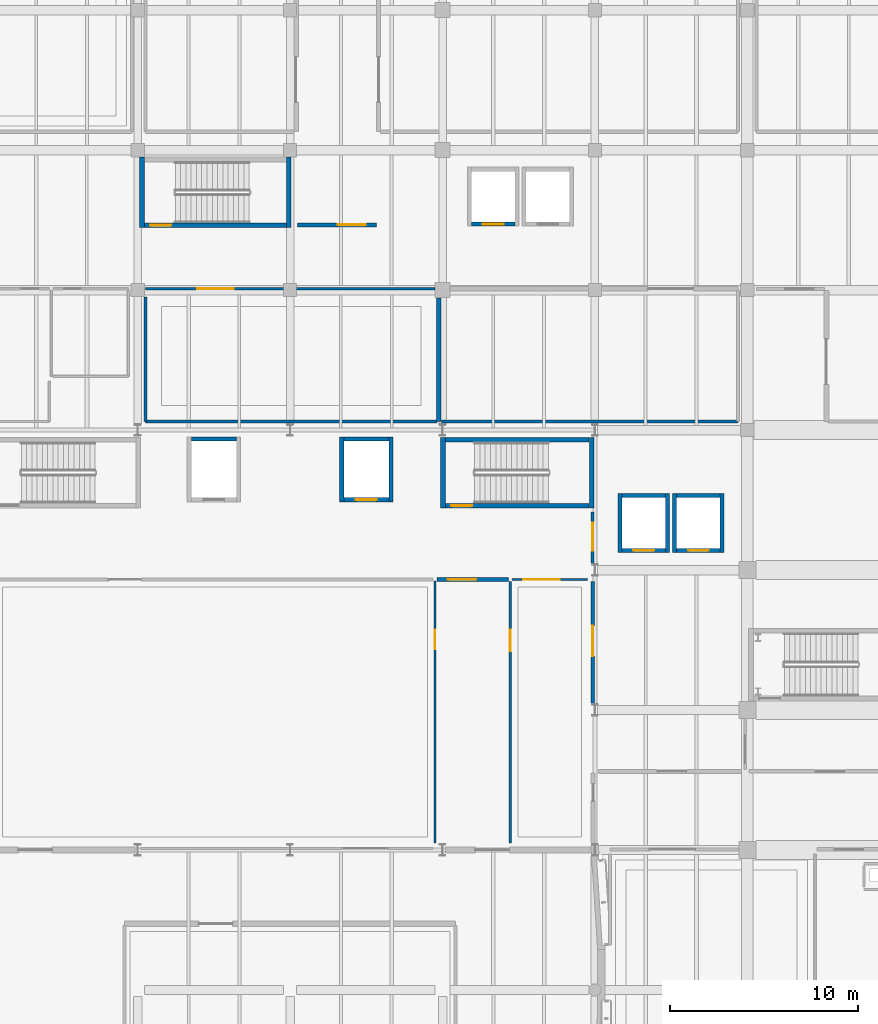
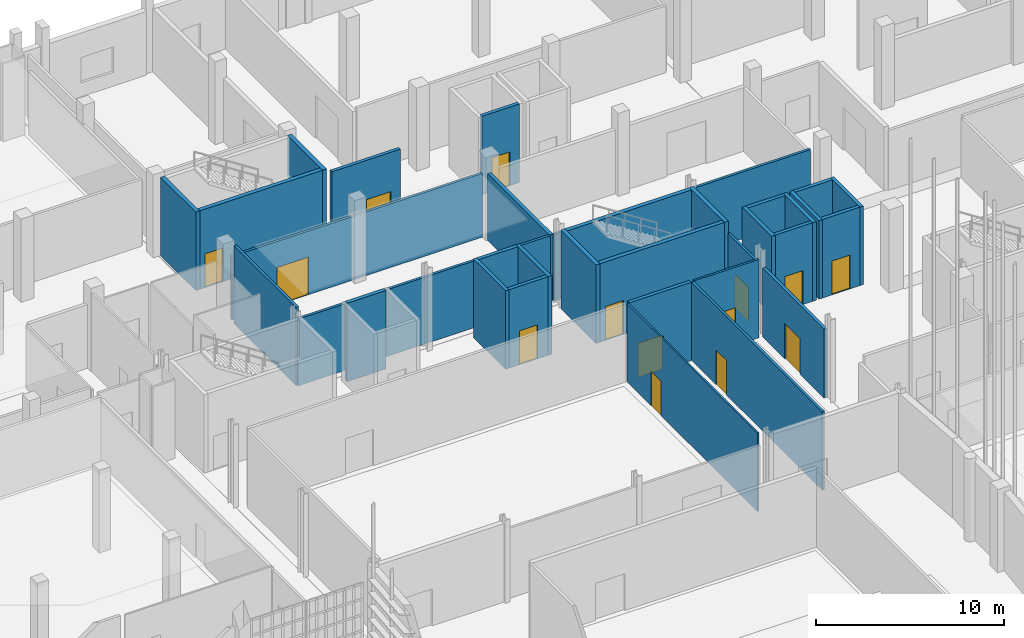
# One storey, part 353 of 372: 33 walls, 14 doors, 14 openings.
"""IFC4 building model written with IfcOpenShell, lengths in metres."""

from ifc_helpers import new_model, si_unit, direction, frame, frame_2d, origin, place, context, subcontext, project, spatial, rectangle, extrude, material, layer, layer_set, type_object, element, fill, save


model = new_model("IFC4")

# Units and contexts
model_context = context("Model", 3, precision=1e-05, world=origin(), true_north=direction((0.0, 1.0)))
body_context = subcontext(model_context, "Body", "Model", "MODEL_VIEW")
ifc_project = project(units=[si_unit("LENGTHUNIT", "METRE"), si_unit("AREAUNIT", "SQUARE_METRE"), si_unit("VOLUMEUNIT", "CUBIC_METRE"), si_unit("PLANEANGLEUNIT", "RADIAN"), si_unit("MASSUNIT", "GRAM", prefix="KILO")], contexts=[model_context])

# Site, building, storey
site_placement = place(None, origin())
site = spatial("IfcSite", under=ifc_project, at=site_placement, CompositionType="ELEMENT")
building_placement = place(site_placement, origin())
building = spatial("IfcBuilding", under=site, at=building_placement, Name="Kaelora Sail Theatre", CompositionType="ELEMENT")
storey_placement = place(building_placement, origin())
storey = spatial("IfcBuildingStorey", under=building, at=storey_placement, Name="L00", CompositionType="ELEMENT", Elevation=0.0)

# Wall, opening, door
ifc_material_1 = material(Name="Concrete C40/50", Category="concrete")
ifc_layer_1 = layer(ifc_material_1, 0.25)
ifc_layer_set_1 = layer_set([ifc_layer_1], Name="Concrete C40/50")
wall_type_1 = type_object("IfcWallType", Name="ARC-WL-CW-250", PredefinedType="SHEAR", material=ifc_layer_set_1)
wall_1_placement = place(storey_placement, frame((50.2548828125, 79.324951171875, 0.0), z_axis=(0.0, 0.0, 1.0), x_axis=(1.0, 0.0, 0.0)))
wall_1 = element("IfcWall", 1, at=wall_1_placement, inside=storey, type_object=wall_type_1, Name="Stair shaft ST-K5 wall L00-S", PredefinedType="SHEAR", context=body_context, shape_type="SweptSolid", body=[
    extrude(rectangle(XDim=7.64013671875, YDim=0.25, at=frame_2d((3.820068359375, 0.0))), origin(), (0.0, 0.0, 1.0), 5.10498046875),
])
opening_1_placement = place(wall_1_placement, frame((0.320068359375, 0.0, 0.0)))
opening_1 = element("IfcOpeningElement", 2, at=opening_1_placement, cuts=wall_1, Name="Opening FD-02", PredefinedType="OPENING", context=body_context, shape_type="SweptSolid", body=[
    extrude(rectangle(XDim=1.10009765625, YDim=2.199951171875, at=frame_2d((0.550048828125, 1.10009765625))), frame((0.0, 0.135, 0.0), z_axis=(0.0, -1.0, 0.0), x_axis=(1.0, 0.0, 0.0)), (0.0, 0.0, 1.0), 0.27),
])
ifc_material_2 = material(Name="Acoustic steel single stair/lobby fire door EI 90-C", Category="steel")
door_type_1 = type_object("IfcDoorType", Name="ARC-DR-FD-02", OperationType="NOTDEFINED", PredefinedType="DOOR", material=ifc_material_2)
door_1_placement = place(opening_1_placement, origin())
door_1 = element("IfcDoor", 3, at=door_1_placement, inside=storey, type_object=door_type_1, Name="Stair ST-K5 door (L00)", OperationType="SINGLE_SWING_RIGHT", OverallHeight=2.199951171875, OverallWidth=1.10009765625, PredefinedType="DOOR", context=body_context, shape_type="SweptSolid", body=[
    extrude(rectangle(XDim=1.10009765625, YDim=2.199951171875, at=frame_2d((0.550048828125, 1.10009765625))), frame((0.0, 0.02490234375, 0.0), z_axis=(0.0, -1.0, 0.0), x_axis=(1.0, 0.0, 0.0)), (0.0, 0.0, 1.0), 0.050048828125),
])
fill(opening_1, door_1)

# Walls
wall_2_placement = place(storey_placement, frame((50.2548828125, 82.824951171875, 0.0), z_axis=(0.0, 0.0, 1.0), x_axis=(1.0, 0.0, 0.0)))
element("IfcWall", 4, at=wall_2_placement, inside=storey, type_object=wall_type_1, Name="Stair shaft ST-K5 wall L00-N", PredefinedType="SHEAR", context=body_context, shape_type="SweptSolid", body=[
    extrude(rectangle(XDim=7.64013671875, YDim=0.25, at=frame_2d((3.820068359375, 0.0))), origin(), (0.0, 0.0, 1.0), 5.10498046875),
])
for number, where, z_axis, x_axis, name in (
    (5, (50.125, 79.199951171875, 0.0), (0.0, 0.0, 1.0), (0.0, 1.0, 0.0), "Stair shaft ST-K5 wall L00-W"),
    (6, (58.02490234375, 79.199951171875, 0.0), (0.0, 0.0, 1.0), (0.0, 1.0, 0.0), "Stair shaft ST-K5 wall L00-E"),
):
    element("IfcWall", number, at=place(storey_placement, frame(where, z_axis=z_axis, x_axis=x_axis)), inside=storey, type_object=wall_type_1, Name=name, PredefinedType="SHEAR", context=body_context, shape_type="SweptSolid", body=[
        extrude(rectangle(XDim=3.75, YDim=0.25, at=frame_2d((1.875, 0.0))), origin(), (0.0, 0.0, 1.0), 5.10498046875),
    ])

# Wall, opening, door
wall_3_placement = place(storey_placement, frame((34.2548828125, 94.22509765625, 0.0), z_axis=(0.0, 0.0, 1.0), x_axis=(1.0, 0.0, 0.0)))
wall_3 = element("IfcWall", 7, at=wall_3_placement, inside=storey, type_object=wall_type_1, Name="Stair shaft ST-K2 wall L00-S", PredefinedType="SHEAR", context=body_context, shape_type="SweptSolid", body=[
    extrude(rectangle(XDim=7.5400390625, YDim=0.25, at=frame_2d((3.77001953125, 0.0))), origin(), (0.0, 0.0, 1.0), 5.10498046875),
])
opening_2_placement = place(wall_3_placement, frame((0.320068359375, 0.0, 0.0)))
opening_2 = element("IfcOpeningElement", 8, at=opening_2_placement, cuts=wall_3, Name="Opening FD-02", PredefinedType="OPENING", context=body_context, shape_type="SweptSolid", body=[
    extrude(rectangle(XDim=1.10009765625, YDim=2.199951171875, at=frame_2d((0.550048828125, 1.10009765625))), frame((0.0, 0.135, 0.0), z_axis=(0.0, -1.0, 0.0), x_axis=(1.0, 0.0, 0.0)), (0.0, 0.0, 1.0), 0.27),
])
door_2_placement = place(opening_2_placement, origin())
door_2 = element("IfcDoor", 9, at=door_2_placement, inside=storey, type_object=door_type_1, Name="Stair ST-K2 door (L00)", OperationType="SINGLE_SWING_RIGHT", OverallHeight=2.199951171875, OverallWidth=1.10009765625, PredefinedType="DOOR", context=body_context, shape_type="SweptSolid", body=[
    extrude(rectangle(XDim=1.10009765625, YDim=2.199951171875, at=frame_2d((0.550048828125, 1.10009765625))), frame((0.0, 0.02490234375, 0.0), z_axis=(0.0, -1.0, 0.0), x_axis=(1.0, 0.0, 0.0)), (0.0, 0.0, 1.0), 0.050048828125),
])
fill(opening_2, door_2)

# Walls
for number, where, z_axis, x_axis, name in (
    (10, (34.125, 94.10009765625, 0.0), (0.0, 0.0, 1.0), (0.0, 1.0, 0.0), "Stair shaft ST-K2 wall L00-W"),
    (11, (41.925048828125, 94.10009765625, 0.0), (0.0, 0.0, 1.0), (0.0, 1.0, 0.0), "Stair shaft ST-K2 wall L00-E"),
):
    element("IfcWall", number, at=place(storey_placement, frame(where, z_axis=z_axis, x_axis=x_axis)), inside=storey, type_object=wall_type_1, Name=name, PredefinedType="SHEAR", context=body_context, shape_type="SweptSolid", body=[
        extrude(rectangle(XDim=3.75, YDim=0.25, at=frame_2d((1.875, 0.0))), origin(), (0.0, 0.0, 1.0), 5.10498046875),
    ])

# Wall, opening, door
ifc_material_3 = material(Name="Demountable acoustic studio wall 150 mm", Category="timber")
ifc_layer_2 = layer(ifc_material_3, 0.14990234375)
ifc_layer_set_2 = layer_set([ifc_layer_2], Name="Demountable acoustic studio wall 150 mm")
wall_type_2 = type_object("IfcWallType", Name="ARC-WL-MV-150", PredefinedType="MOVABLE", material=ifc_layer_set_2)
wall_4_placement = place(storey_placement, frame((53.699951171875, 61.39990234375, 0.0), z_axis=(0.0, 0.0, 1.0), x_axis=(0.0, 1.0, 0.0)))
wall_4 = element("IfcWall", 12, at=wall_4_placement, inside=storey, type_object=wall_type_2, Name="Interior acoustic partition L00-MAIN-ELINK/L00-STAGE-SIDE", PredefinedType="MOVABLE", context=body_context, shape_type="SweptSolid", body=[
    extrude(rectangle(XDim=13.900146484375, YDim=0.14990234375, at=frame_2d((6.9501953125, 0.0))), origin(), (0.0, 0.0, 1.0), 5.0849609375),
])
opening_3_placement = place(wall_4_placement, frame((10.172119140625, 0.0, 0.0)))
opening_3 = element("IfcOpeningElement", 13, at=opening_3_placement, cuts=wall_4, Name="Opening ID-07", PredefinedType="OPENING", context=body_context, shape_type="SweptSolid", body=[
    extrude(rectangle(XDim=1.14990234375, YDim=2.25, at=frame_2d((0.574951171875, 1.125))), frame((0.0, 0.084951, 0.0), z_axis=(0.0, -1.0, 0.0), x_axis=(1.0, 0.0, 0.0)), (0.0, 0.0, 1.0), 0.169902),
])
ifc_material_4 = material(Name="Chorus ensemble wide single door", Category="steel")
door_type_2 = type_object("IfcDoorType", Name="ARC-DR-ID-07", OperationType="NOTDEFINED", PredefinedType="DOOR", material=ifc_material_4)
door_3_placement = place(opening_3_placement, origin())
door_3 = element("IfcDoor", 14, at=door_3_placement, inside=storey, type_object=door_type_2, Name="Interior door L00-MAIN-ELINK to L00-STAGE-SIDE", OperationType="SINGLE_SWING_RIGHT", OverallHeight=2.25, OverallWidth=1.14990234375, PredefinedType="DOOR", context=body_context, shape_type="SweptSolid", body=[
    extrude(rectangle(XDim=1.14990234375, YDim=2.25, at=frame_2d((0.574951171875, 1.125))), frame((0.0, 0.02490234375, 0.0), z_axis=(0.0, -1.0, 0.0), x_axis=(1.0, 0.0, 0.0)), (0.0, 0.0, 1.0), 0.050048828125),
])
fill(opening_3, door_3)

wall_5_placement = place(storey_placement, frame((34.300048828125, 90.85009765625, 0.0), z_axis=(0.0, 0.0, 1.0), x_axis=(1.0, 0.0, 0.0)))
wall_5 = element("IfcWall", 15, at=wall_5_placement, inside=storey, type_object=wall_type_2, Name="Interior acoustic partition L00-COR-BOH/L00-STAGE-MGR", PredefinedType="MOVABLE", context=body_context, shape_type="SweptSolid", body=[
    extrude(rectangle(XDim=15.39501953125, YDim=0.14990234375, at=frame_2d((7.697509765625, 0.0))), origin(), (0.0, 0.0, 1.0), 4.136962890625),
])
opening_4_placement = place(wall_5_placement, frame((2.760009765625, 0.0, 0.0)))
opening_4 = element("IfcOpeningElement", 16, at=opening_4_placement, cuts=wall_5, Name="Opening ID-10", PredefinedType="OPENING", context=body_context, shape_type="SweptSolid", body=[
    extrude(rectangle(XDim=1.949951171875, YDim=2.449951171875, at=frame_2d((0.97509765625, 1.22509765625))), frame((0.0, 0.084951, 0.0), z_axis=(0.0, -1.0, 0.0), x_axis=(1.0, 0.0, 0.0)), (0.0, 0.0, 1.0), 0.169902),
])
ifc_material_5 = material(Name="Foyer hospitality glazed double door", Category="steel")
door_type_3 = type_object("IfcDoorType", Name="ARC-DR-ID-10", OperationType="NOTDEFINED", PredefinedType="DOOR", material=ifc_material_5)
door_4_placement = place(opening_4_placement, origin())
door_4 = element("IfcDoor", 17, at=door_4_placement, inside=storey, type_object=door_type_3, Name="Interior door L00-COR-BOH to L00-STAGE-MGR", OperationType="DOUBLE_DOOR_SINGLE_SWING", OverallHeight=2.449951171875, OverallWidth=1.949951171875, PredefinedType="DOOR", context=body_context, shape_type="SweptSolid", body=[
    extrude(rectangle(XDim=1.949951171875, YDim=2.449951171875, at=frame_2d((0.97509765625, 1.22509765625))), frame((0.0, 0.02490234375, 0.0), z_axis=(0.0, -1.0, 0.0), x_axis=(1.0, 0.0, 0.0)), (0.0, 0.0, 1.0), 0.050048828125),
])
fill(opening_4, door_4)

ifc_material_6 = material(Name="Sanitary moisture-resistant partition 100 mm", Category="gypsum")
ifc_layer_3 = layer(ifc_material_6, 0.10009765625)
ifc_layer_set_3 = layer_set([ifc_layer_3], Name="Sanitary moisture-resistant partition 100 mm")
wall_type_3 = type_object("IfcWallType", Name="ARC-WL-PT-100", PredefinedType="PARTITIONING", material=ifc_layer_set_3)
wall_6_placement = place(storey_placement, frame((49.699951171875, 61.39990234375, 0.0), z_axis=(0.0, 0.0, 1.0), x_axis=(0.0, 1.0, 0.0)))
wall_6 = element("IfcWall", 18, at=wall_6_placement, inside=storey, type_object=wall_type_3, Name="Interior acoustic partition L00-MAIN-ELINK/L00-STAGE-MAIN", PredefinedType="PARTITIONING", context=body_context, shape_type="SweptSolid", body=[
    extrude(rectangle(XDim=13.900146484375, YDim=0.10009765625, at=frame_2d((6.9501953125, 0.0))), origin(), (0.0, 0.0, 1.0), 5.0849609375),
])
opening_5_placement = place(wall_6_placement, frame((10.2890625, 0.0, 0.0)))
opening_5 = element("IfcOpeningElement", 19, at=opening_5_placement, cuts=wall_6, Name="Opening ID-06", PredefinedType="OPENING", context=body_context, shape_type="SweptSolid", body=[
    extrude(rectangle(XDim=1.050048828125, YDim=2.25, at=frame_2d((0.52490234375, 1.125))), frame((0.0, 0.060049, 0.0), z_axis=(0.0, -1.0, 0.0), x_axis=(1.0, 0.0, 0.0)), (0.0, 0.0, 1.0), 0.120098),
])
ifc_material_7 = material(Name="Soloist dressing acoustic timber door", Category="wood")
door_type_4 = type_object("IfcDoorType", Name="ARC-DR-ID-06", OperationType="NOTDEFINED", PredefinedType="DOOR", material=ifc_material_7)
door_5_placement = place(opening_5_placement, origin())
door_5 = element("IfcDoor", 20, at=door_5_placement, inside=storey, type_object=door_type_4, Name="Interior door L00-MAIN-ELINK to L00-STAGE-MAIN", OperationType="SINGLE_SWING_LEFT", OverallHeight=2.25, OverallWidth=1.050048828125, PredefinedType="DOOR", context=body_context, shape_type="SweptSolid", body=[
    extrude(rectangle(XDim=1.050048828125, YDim=2.25, at=frame_2d((0.52490234375, 1.125))), frame((0.0, 0.02490234375, 0.0), z_axis=(0.0, -1.0, 0.0), x_axis=(1.0, 0.0, 0.0)), (0.0, 0.0, 1.0), 0.050048828125),
])
fill(opening_5, door_5)

ifc_material_8 = material(Name="Dressing room acoustic partition 130 mm", Category="gypsum")
ifc_layer_4 = layer(ifc_material_8, 0.1298828125)
ifc_layer_set_4 = layer_set([ifc_layer_4], Name="Dressing room acoustic partition 130 mm")
wall_type_4 = type_object("IfcWallType", Name="ARC-WL-PT-130", PredefinedType="PARTITIONING", material=ifc_layer_set_4)
wall_7_placement = place(storey_placement, frame((53.800048828125, 75.39990234375, 0.0), z_axis=(0.0, 0.0, 1.0), x_axis=(1.0, 0.0, 0.0)))
wall_7 = element("IfcWall", 21, at=wall_7_placement, inside=storey, type_object=wall_type_4, Name="Interior acoustic partition L00-STAGE-SIDE/L00-COR-FLY", PredefinedType="PARTITIONING", context=body_context, shape_type="SweptSolid", body=[
    extrude(rectangle(XDim=4.0, YDim=0.1298828125, at=frame_2d((2.0, 0.0))), origin(), (0.0, 0.0, 1.0), 5.0849609375),
])
opening_6_placement = place(wall_7_placement, frame((0.580078125, 0.0, 0.0)))
opening_6 = element("IfcOpeningElement", 22, at=opening_6_placement, cuts=wall_7, Name="Opening ID-10", PredefinedType="OPENING", context=body_context, shape_type="SweptSolid", body=[
    extrude(rectangle(XDim=1.949951171875, YDim=2.449951171875, at=frame_2d((0.97509765625, 1.22509765625))), frame((0.0, 0.074941, 0.0), z_axis=(0.0, -1.0, 0.0), x_axis=(1.0, 0.0, 0.0)), (0.0, 0.0, 1.0), 0.149883),
])
door_6_placement = place(opening_6_placement, origin())
door_6 = element("IfcDoor", 23, at=door_6_placement, inside=storey, type_object=door_type_3, Name="Interior door L00-STAGE-SIDE to L00-COR-FLY", OperationType="DOUBLE_DOOR_SINGLE_SWING", OverallHeight=2.449951171875, OverallWidth=1.949951171875, PredefinedType="DOOR", context=body_context, shape_type="SweptSolid", body=[
    extrude(rectangle(XDim=1.949951171875, YDim=2.449951171875, at=frame_2d((0.97509765625, 1.22509765625))), frame((0.0, 0.02490234375, 0.0), z_axis=(0.0, -1.0, 0.0), x_axis=(1.0, 0.0, 0.0)), (0.0, 0.0, 1.0), 0.050048828125),
])
fill(opening_6, door_6)

ifc_material_9 = material(Name="Fire-rated stud partition 140 mm", Category="gypsum")
ifc_layer_5 = layer(ifc_material_9, 0.139892578125)
ifc_layer_set_5 = layer_set([ifc_layer_5], Name="Fire-rated stud partition 140 mm")
wall_type_5 = type_object("IfcWallType", Name="ARC-WL-PT-140", PredefinedType="PARTITIONING", material=ifc_layer_set_5)
wall_8_placement = place(storey_placement, frame((58.074951171875, 79.0, 0.0), z_axis=(0.0, 0.0, 1.0), x_axis=(0.0, -1.0, 0.0)))
wall_8 = element("IfcWall", 24, at=wall_8_placement, inside=storey, type_object=wall_type_5, Name="Interior acoustic partition L00-COR-FLY/L00-COR-LINK", PredefinedType="PARTITIONING", context=body_context, shape_type="SweptSolid", body=[
    extrude(rectangle(XDim=2.794921875, YDim=0.139892578125, at=frame_2d((1.3974609375, 0.0))), origin(), (0.0, 0.0, 1.0), 4.487060546875),
])
opening_7_placement = place(wall_8_placement, frame((0.580078125, 0.0, 0.0)))
opening_7 = element("IfcOpeningElement", 25, at=opening_7_placement, cuts=wall_8, Name="Opening FD-01", PredefinedType="OPENING", context=body_context, shape_type="SweptSolid", body=[
    extrude(rectangle(XDim=1.5, YDim=2.199951171875, at=frame_2d((0.75, 1.10009765625))), frame((0.0, 0.079824, 0.0), z_axis=(0.0, -1.0, 0.0), x_axis=(1.0, 0.0, 0.0)), (0.0, 0.0, 1.0), 0.159893),
])
ifc_material_10 = material(Name="Acoustic steel double fire door EI 90-C", Category="steel")
door_type_5 = type_object("IfcDoorType", Name="ARC-DR-FD-01", OperationType="NOTDEFINED", PredefinedType="DOOR", material=ifc_material_10)
door_7_placement = place(opening_7_placement, origin())
door_7 = element("IfcDoor", 26, at=door_7_placement, inside=storey, type_object=door_type_5, Name="Interior door L00-COR-FLY to L00-COR-LINK", OperationType="DOUBLE_DOOR_SINGLE_SWING", OverallHeight=2.199951171875, OverallWidth=1.5, PredefinedType="DOOR", context=body_context, shape_type="SweptSolid", body=[
    extrude(rectangle(XDim=1.5, YDim=2.199951171875, at=frame_2d((0.75, 1.10009765625))), frame((0.0, 0.02490234375, 0.0), z_axis=(0.0, -1.0, 0.0), x_axis=(1.0, 0.0, 0.0)), (0.0, 0.0, 1.0), 0.050048828125),
])
fill(opening_7, door_7)

# Walls
ifc_material_11 = material(Name="Acoustic metal-stud plasterboard 160 mm", Category="gypsum")
ifc_layer_6 = layer(ifc_material_11, 0.159912109375)
ifc_layer_set_6 = layer_set([ifc_layer_6], Name="Acoustic metal-stud plasterboard 160 mm")
wall_type_6 = type_object("IfcWallType", Name="ARC-WL-PT-160", PredefinedType="PARTITIONING", material=ifc_layer_set_6)
wall_9_placement = place(storey_placement, frame((34.300048828125, 83.800048828125, 0.0), z_axis=(0.0, 0.0, 1.0), x_axis=(1.0, 0.0, 0.0)))
element("IfcWall", 27, at=wall_9_placement, inside=storey, type_object=wall_type_6, Name="Room enclosure wall L00-STAGE-MGR-S1", PredefinedType="PARTITIONING", context=body_context, shape_type="SweptSolid", body=[
    extrude(rectangle(XDim=15.5, YDim=0.159912109375, at=frame_2d((7.75, 0.0))), origin(), (0.0, 0.0, 1.0), 4.3369140625),
])
wall_10_placement = place(storey_placement, frame((34.300048828125, 83.800048828125, 0.0), z_axis=(0.0, 0.0, 1.0), x_axis=(0.0, 1.0, 0.0)))
element("IfcWall", 28, at=wall_10_placement, inside=storey, type_object=wall_type_6, Name="Room enclosure wall L00-STAGE-MGR-W1", PredefinedType="PARTITIONING", context=body_context, shape_type="SweptSolid", body=[
    extrude(rectangle(XDim=6.60986328125, YDim=0.159912109375, at=frame_2d((3.304931640625, 0.0))), origin(), (0.0, 0.0, 1.0), 5.0849609375),
])
wall_11_placement = place(storey_placement, frame((50.050048828125, 83.800048828125, 0.0), z_axis=(0.0, 0.0, 1.0), x_axis=(1.0, 0.0, 0.0)))
element("IfcWall", 29, at=wall_11_placement, inside=storey, type_object=wall_type_6, Name="Room enclosure wall L00-QUICK-BOH-S1", PredefinedType="PARTITIONING", context=body_context, shape_type="SweptSolid", body=[
    extrude(rectangle(XDim=15.75, YDim=0.159912109375, at=frame_2d((7.875, 0.0))), origin(), (0.0, 0.0, 1.0), 4.3369140625),
])

# Wall, opening, door
ifc_material_12 = material(Name="Rehearsal double-stud partition 185 mm", Category="gypsum")
ifc_layer_7 = layer(ifc_material_12, 0.18505859375)
ifc_layer_set_7 = layer_set([ifc_layer_7], Name="Rehearsal double-stud partition 185 mm")
wall_type_7 = type_object("IfcWallType", Name="ARC-WL-PT-185", PredefinedType="PARTITIONING", material=ifc_layer_set_7)
wall_12_placement = place(storey_placement, frame((58.074951171875, 68.764892578125, 0.0), z_axis=(0.0, 0.0, 1.0), x_axis=(0.0, 1.0, 0.0)))
wall_12 = element("IfcWall", 30, at=wall_12_placement, inside=storey, type_object=wall_type_7, Name="Interior acoustic partition L00-STAGE-SIDE/L00-COR-LINK", PredefinedType="PARTITIONING", context=body_context, shape_type="SweptSolid", body=[
    extrude(rectangle(XDim=6.53515625, YDim=0.18505859375, at=frame_2d((3.267578125, 0.0))), origin(), (0.0, 0.0, 1.0), 4.487060546875),
])
opening_8_placement = place(wall_12_placement, frame((2.56689453125, 0.0, 0.0)))
opening_8 = element("IfcOpeningElement", 31, at=opening_8_placement, cuts=wall_12, Name="Opening ID-04", PredefinedType="OPENING", context=body_context, shape_type="SweptSolid", body=[
    extrude(rectangle(XDim=1.60009765625, YDim=2.300048828125, at=frame_2d((0.800048828125, 1.14990234375))), frame((0.0, 0.102529, 0.0), z_axis=(0.0, -1.0, 0.0), x_axis=(1.0, 0.0, 0.0)), (0.0, 0.0, 1.0), 0.205059),
])
ifc_material_13 = material(Name="Rehearsal hall acoustic timber double door", Category="wood")
door_type_6 = type_object("IfcDoorType", Name="ARC-DR-ID-04", OperationType="NOTDEFINED", PredefinedType="DOOR", material=ifc_material_13)
door_8_placement = place(opening_8_placement, origin())
door_8 = element("IfcDoor", 32, at=door_8_placement, inside=storey, type_object=door_type_6, Name="Interior door L00-STAGE-SIDE to L00-COR-LINK", OperationType="DOUBLE_DOOR_SINGLE_SWING", OverallHeight=2.300048828125, OverallWidth=1.60009765625, PredefinedType="DOOR", context=body_context, shape_type="SweptSolid", body=[
    extrude(rectangle(XDim=1.60009765625, YDim=2.300048828125, at=frame_2d((0.800048828125, 1.14990234375))), frame((0.0, 0.02490234375, 0.0), z_axis=(0.0, -1.0, 0.0), x_axis=(1.0, 0.0, 0.0)), (0.0, 0.0, 1.0), 0.050048828125),
])
fill(opening_8, door_8)

ifc_material_14 = material(Name="Acoustic double-stud plasterboard 200 mm", Category="gypsum")
ifc_layer_8 = layer(ifc_material_14, 0.199951171875)
ifc_layer_set_8 = layer_set([ifc_layer_8], Name="Acoustic double-stud plasterboard 200 mm")
wall_type_8 = type_object("IfcWallType", Name="ARC-WL-PT-200", PredefinedType="PARTITIONING", material=ifc_layer_set_8)
wall_13_placement = place(storey_placement, frame((42.39990234375, 94.25, 0.0), z_axis=(0.0, 0.0, 1.0), x_axis=(1.0, 0.0, 0.0)))
wall_13 = element("IfcWall", 33, at=wall_13_placement, inside=storey, type_object=wall_type_8, Name="Interior acoustic partition L00-COR-BOH/L00-COR-SP2", PredefinedType="PARTITIONING", context=body_context, shape_type="SweptSolid", body=[
    extrude(rectangle(XDim=4.2001953125, YDim=0.199951171875, at=frame_2d((2.10009765625, 0.0))), origin(), (0.0, 0.0, 1.0), 4.757080078125),
])
opening_9_placement = place(wall_13_placement, frame((2.1201171875, 0.0, 0.0)))
opening_9 = element("IfcOpeningElement", 34, at=opening_9_placement, cuts=wall_13, Name="Opening FD-01", PredefinedType="OPENING", context=body_context, shape_type="SweptSolid", body=[
    extrude(rectangle(XDim=1.5, YDim=2.199951171875, at=frame_2d((0.75, 1.10009765625))), frame((0.0, 0.110098, 0.0), z_axis=(0.0, -1.0, 0.0), x_axis=(1.0, 0.0, 0.0)), (0.0, 0.0, 1.0), 0.219951),
])
door_9_placement = place(opening_9_placement, origin())
door_9 = element("IfcDoor", 35, at=door_9_placement, inside=storey, type_object=door_type_5, Name="Interior door L00-COR-BOH to L00-COR-SP2", OperationType="DOUBLE_DOOR_SINGLE_SWING", OverallHeight=2.199951171875, OverallWidth=1.5, PredefinedType="DOOR", context=body_context, shape_type="SweptSolid", body=[
    extrude(rectangle(XDim=1.5, YDim=2.199951171875, at=frame_2d((0.75, 1.10009765625))), frame((0.0, 0.02490234375, 0.0), z_axis=(0.0, -1.0, 0.0), x_axis=(1.0, 0.0, 0.0)), (0.0, 0.0, 1.0), 0.050048828125),
])
fill(opening_9, door_9)

ifc_material_15 = material(Name="Studio box-in-box acoustic partition 215 mm", Category="gypsum")
ifc_layer_9 = layer(ifc_material_15, 0.215087890625)
ifc_layer_set_9 = layer_set([ifc_layer_9], Name="Studio box-in-box acoustic partition 215 mm")
wall_type_9 = type_object("IfcWallType", Name="ARC-WL-PT-215", PredefinedType="PARTITIONING", material=ifc_layer_set_9)
wall_14_placement = place(storey_placement, frame((49.800048828125, 75.39990234375, 0.0), z_axis=(0.0, 0.0, 1.0), x_axis=(1.0, 0.0, 0.0)))
wall_14 = element("IfcWall", 36, at=wall_14_placement, inside=storey, type_object=wall_type_9, Name="Interior acoustic partition L00-MAIN-ELINK/L00-COR-FLY", PredefinedType="PARTITIONING", context=body_context, shape_type="SweptSolid", body=[
    extrude(rectangle(XDim=3.800048828125, YDim=0.215087890625, at=frame_2d((1.89990234375, 0.0))), origin(), (0.0, 0.0, 1.0), 5.0849609375),
])
opening_10_placement = place(wall_14_placement, frame((0.580078125, 0.0, 0.0)))
opening_10 = element("IfcOpeningElement", 37, at=opening_10_placement, cuts=wall_14, Name="Opening FD-01", PredefinedType="OPENING", context=body_context, shape_type="SweptSolid", body=[
    extrude(rectangle(XDim=1.5, YDim=2.199951171875, at=frame_2d((0.75, 1.10009765625))), frame((0.0, 0.117422, 0.0), z_axis=(0.0, -1.0, 0.0), x_axis=(1.0, 0.0, 0.0)), (0.0, 0.0, 1.0), 0.235088),
])
door_10_placement = place(opening_10_placement, origin())
door_10 = element("IfcDoor", 38, at=door_10_placement, inside=storey, type_object=door_type_5, Name="Interior door L00-MAIN-ELINK to L00-COR-FLY", OperationType="DOUBLE_DOOR_SINGLE_SWING", OverallHeight=2.199951171875, OverallWidth=1.5, PredefinedType="DOOR", context=body_context, shape_type="SweptSolid", body=[
    extrude(rectangle(XDim=1.5, YDim=2.199951171875, at=frame_2d((0.75, 1.10009765625))), frame((0.0, 0.02490234375, 0.0), z_axis=(0.0, -1.0, 0.0), x_axis=(1.0, 0.0, 0.0)), (0.0, 0.0, 1.0), 0.050048828125),
])
fill(opening_10, door_10)

# Walls
wall_15_placement = place(storey_placement, frame((49.89990234375, 83.800048828125, 0.0), z_axis=(0.0, 0.0, 1.0), x_axis=(0.0, 1.0, 0.0)))
element("IfcWall", 39, at=wall_15_placement, inside=storey, type_object=wall_type_9, Name="Interior acoustic partition L00-STAGE-MGR/L00-QUICK-BOH", PredefinedType="PARTITIONING", context=body_context, shape_type="SweptSolid", body=[
    extrude(rectangle(XDim=6.574951171875, YDim=0.215087890625, at=frame_2d((3.28759765625, 0.0))), origin(), (0.0, 0.0, 1.0), 4.3369140625),
])
ifc_material_16 = material(Name="Concrete C40/50", Category="concrete")
ifc_layer_10 = layer(ifc_material_16, 0.219970703125)
ifc_layer_set_10 = layer_set([ifc_layer_10], Name="Concrete C40/50")
wall_type_10 = type_object("IfcWallType", Name="ARC-WL-SW-220", PredefinedType="SOLIDWALL", material=ifc_layer_set_10)
wall_16_placement = place(storey_placement, frame((36.75, 82.860107421875, 0.0), z_axis=(0.0, 0.0, 1.0), x_axis=(1.0, 0.0, 0.0)))
element("IfcWall", 40, at=wall_16_placement, inside=storey, type_object=wall_type_10, Name="Lift FFL-01 shaft wall L00-N", PredefinedType="SOLIDWALL", context=body_context, shape_type="SweptSolid", body=[
    extrude(rectangle(XDim=2.39990234375, YDim=0.219970703125, at=frame_2d((1.199951171875, 0.0))), origin(), (0.0, 0.0, 1.0), 5.10498046875),
])

# Wall, opening, door
wall_17_placement = place(storey_placement, frame((44.85009765625, 79.639892578125, 0.0), z_axis=(0.0, 0.0, 1.0), x_axis=(1.0, 0.0, 0.0)))
wall_17 = element("IfcWall", 41, at=wall_17_placement, inside=storey, type_object=wall_type_10, Name="Lift FFL-02 shaft wall L00-S", PredefinedType="SOLIDWALL", context=body_context, shape_type="SweptSolid", body=[
    extrude(rectangle(XDim=2.39990234375, YDim=0.219970703125, at=frame_2d((1.199951171875, 0.0))), origin(), (0.0, 0.0, 1.0), 5.10498046875),
])
opening_11_placement = place(wall_17_placement, frame((0.64990234375, 0.0, 0.0)))
opening_11 = element("IfcOpeningElement", 42, at=opening_11_placement, cuts=wall_17, Name="Opening LD-FFL", PredefinedType="OPENING", context=body_context, shape_type="SweptSolid", body=[
    extrude(rectangle(XDim=1.10009765625, YDim=2.199951171875, at=frame_2d((0.550048828125, 1.10009765625))), frame((0.0, 0.119863, 0.0), z_axis=(0.0, -1.0, 0.0), x_axis=(1.0, 0.0, 0.0)), (0.0, 0.0, 1.0), 0.239971),
])
ifc_material_17 = material(Name="Stainless steel firefighting lift landing door EI 120", Category="steel")
door_type_7 = type_object("IfcDoorType", Name="ARC-DR-LD-FFL", OperationType="NOTDEFINED", PredefinedType="DOOR", material=ifc_material_17)
door_11_placement = place(opening_11_placement, origin())
door_11 = element("IfcDoor", 43, at=door_11_placement, inside=storey, type_object=door_type_7, Name="Lift FFL-02 sliding landing door (L00)", OperationType="SLIDING_TO_LEFT", OverallHeight=2.199951171875, OverallWidth=1.10009765625, PredefinedType="DOOR", context=body_context, shape_type="SweptSolid", body=[
    extrude(rectangle(XDim=1.10009765625, YDim=2.199951171875, at=frame_2d((0.550048828125, 1.10009765625))), frame((0.0, 0.02490234375, 0.0), z_axis=(0.0, -1.0, 0.0), x_axis=(1.0, 0.0, 0.0)), (0.0, 0.0, 1.0), 0.050048828125),
])
fill(opening_11, door_11)

# Walls
wall_18_placement = place(storey_placement, frame((44.85009765625, 82.860107421875, 0.0), z_axis=(0.0, 0.0, 1.0), x_axis=(1.0, 0.0, 0.0)))
element("IfcWall", 44, at=wall_18_placement, inside=storey, type_object=wall_type_10, Name="Lift FFL-02 shaft wall L00-N", PredefinedType="SOLIDWALL", context=body_context, shape_type="SweptSolid", body=[
    extrude(rectangle(XDim=2.39990234375, YDim=0.219970703125, at=frame_2d((1.199951171875, 0.0))), origin(), (0.0, 0.0, 1.0), 5.10498046875),
])
for number, where, z_axis, x_axis, name in (
    (45, (44.739990234375, 79.530029296875, 0.0), (0.0, 0.0, 1.0), (0.0, 1.0, 0.0), "Lift FFL-02 shaft wall L00-W"),
    (46, (47.360107421875, 79.530029296875, 0.0), (0.0, 0.0, 1.0), (0.0, 1.0, 0.0), "Lift FFL-02 shaft wall L00-E"),
):
    element("IfcWall", number, at=place(storey_placement, frame(where, z_axis=z_axis, x_axis=x_axis)), inside=storey, type_object=wall_type_10, Name=name, PredefinedType="SOLIDWALL", context=body_context, shape_type="SweptSolid", body=[
        extrude(rectangle(XDim=3.43994140625, YDim=0.219970703125, at=frame_2d((1.719970703125, 0.0))), origin(), (0.0, 0.0, 1.0), 5.10498046875),
    ])

# Wall, opening, door
wall_19_placement = place(storey_placement, frame((59.64990234375, 76.93994140625, 0.0), z_axis=(0.0, 0.0, 1.0), x_axis=(1.0, 0.0, 0.0)))
wall_19 = element("IfcWall", 47, at=wall_19_placement, inside=storey, type_object=wall_type_10, Name="Lift PL-01 shaft wall L00-S", PredefinedType="SOLIDWALL", context=body_context, shape_type="SweptSolid", body=[
    extrude(rectangle(XDim=2.300048828125, YDim=0.219970703125, at=frame_2d((1.14990234375, 0.0))), origin(), (0.0, 0.0, 1.0), 5.10498046875),
])
opening_12_placement = place(wall_19_placement, frame((0.60009765625, 0.0, 0.0)))
opening_12 = element("IfcOpeningElement", 48, at=opening_12_placement, cuts=wall_19, Name="Opening LD-PAX", PredefinedType="OPENING", context=body_context, shape_type="SweptSolid", body=[
    extrude(rectangle(XDim=1.10009765625, YDim=2.199951171875, at=frame_2d((0.550048828125, 1.10009765625))), frame((0.0, 0.119863, 0.0), z_axis=(0.0, -1.0, 0.0), x_axis=(1.0, 0.0, 0.0)), (0.0, 0.0, 1.0), 0.239971),
])
ifc_material_18 = material(Name="Brushed bronze passenger lift landing door EI 90", Category="steel")
door_type_8 = type_object("IfcDoorType", Name="ARC-DR-LD-PAX", OperationType="NOTDEFINED", PredefinedType="DOOR", material=ifc_material_18)
door_12_placement = place(opening_12_placement, origin())
door_12 = element("IfcDoor", 49, at=door_12_placement, inside=storey, type_object=door_type_8, Name="Lift PL-01 sliding landing door (L00)", OperationType="SLIDING_TO_LEFT", OverallHeight=2.199951171875, OverallWidth=1.10009765625, PredefinedType="DOOR", context=body_context, shape_type="SweptSolid", body=[
    extrude(rectangle(XDim=1.10009765625, YDim=2.199951171875, at=frame_2d((0.550048828125, 1.10009765625))), frame((0.0, 0.02490234375, 0.0), z_axis=(0.0, -1.0, 0.0), x_axis=(1.0, 0.0, 0.0)), (0.0, 0.0, 1.0), 0.050048828125),
])
fill(opening_12, door_12)

# Walls
wall_20_placement = place(storey_placement, frame((59.64990234375, 79.860107421875, 0.0), z_axis=(0.0, 0.0, 1.0), x_axis=(1.0, 0.0, 0.0)))
element("IfcWall", 50, at=wall_20_placement, inside=storey, type_object=wall_type_10, Name="Lift PL-01 shaft wall L00-N", PredefinedType="SOLIDWALL", context=body_context, shape_type="SweptSolid", body=[
    extrude(rectangle(XDim=2.300048828125, YDim=0.219970703125, at=frame_2d((1.14990234375, 0.0))), origin(), (0.0, 0.0, 1.0), 5.10498046875),
])
for number, where, z_axis, x_axis, name in (
    (51, (59.5400390625, 76.830078125, 0.0), (0.0, 0.0, 1.0), (0.0, 1.0, 0.0), "Lift PL-01 shaft wall L00-W"),
    (52, (62.06005859375, 76.830078125, 0.0), (0.0, 0.0, 1.0), (0.0, 1.0, 0.0), "Lift PL-01 shaft wall L00-E"),
):
    element("IfcWall", number, at=place(storey_placement, frame(where, z_axis=z_axis, x_axis=x_axis)), inside=storey, type_object=wall_type_10, Name=name, PredefinedType="SOLIDWALL", context=body_context, shape_type="SweptSolid", body=[
        extrude(rectangle(XDim=3.139892578125, YDim=0.219970703125, at=frame_2d((1.56982421875, 0.0))), origin(), (0.0, 0.0, 1.0), 5.10498046875),
    ])

# Wall, opening, door
wall_21_placement = place(storey_placement, frame((62.550048828125, 76.93994140625, 0.0), z_axis=(0.0, 0.0, 1.0), x_axis=(1.0, 0.0, 0.0)))
wall_21 = element("IfcWall", 53, at=wall_21_placement, inside=storey, type_object=wall_type_10, Name="Lift PL-02 shaft wall L00-S", PredefinedType="SOLIDWALL", context=body_context, shape_type="SweptSolid", body=[
    extrude(rectangle(XDim=2.300048828125, YDim=0.219970703125, at=frame_2d((1.14990234375, 0.0))), origin(), (0.0, 0.0, 1.0), 5.10498046875),
])
opening_13_placement = place(wall_21_placement, frame((0.60009765625, 0.0, 0.0)))
opening_13 = element("IfcOpeningElement", 54, at=opening_13_placement, cuts=wall_21, Name="Opening LD-PAX", PredefinedType="OPENING", context=body_context, shape_type="SweptSolid", body=[
    extrude(rectangle(XDim=1.10009765625, YDim=2.199951171875, at=frame_2d((0.550048828125, 1.10009765625))), frame((0.0, 0.119863, 0.0), z_axis=(0.0, -1.0, 0.0), x_axis=(1.0, 0.0, 0.0)), (0.0, 0.0, 1.0), 0.239971),
])
door_13_placement = place(opening_13_placement, origin())
door_13 = element("IfcDoor", 55, at=door_13_placement, inside=storey, type_object=door_type_8, Name="Lift PL-02 sliding landing door (L00)", OperationType="SLIDING_TO_LEFT", OverallHeight=2.199951171875, OverallWidth=1.10009765625, PredefinedType="DOOR", context=body_context, shape_type="SweptSolid", body=[
    extrude(rectangle(XDim=1.10009765625, YDim=2.199951171875, at=frame_2d((0.550048828125, 1.10009765625))), frame((0.0, 0.02490234375, 0.0), z_axis=(0.0, -1.0, 0.0), x_axis=(1.0, 0.0, 0.0)), (0.0, 0.0, 1.0), 0.050048828125),
])
fill(opening_13, door_13)

# Walls
wall_22_placement = place(storey_placement, frame((62.550048828125, 79.860107421875, 0.0), z_axis=(0.0, 0.0, 1.0), x_axis=(1.0, 0.0, 0.0)))
element("IfcWall", 56, at=wall_22_placement, inside=storey, type_object=wall_type_10, Name="Lift PL-02 shaft wall L00-N", PredefinedType="SOLIDWALL", context=body_context, shape_type="SweptSolid", body=[
    extrude(rectangle(XDim=2.300048828125, YDim=0.219970703125, at=frame_2d((1.14990234375, 0.0))), origin(), (0.0, 0.0, 1.0), 5.10498046875),
])
for number, where, z_axis, x_axis, name in (
    (57, (62.43994140625, 76.830078125, 0.0), (0.0, 0.0, 1.0), (0.0, 1.0, 0.0), "Lift PL-02 shaft wall L00-W"),
    (58, (64.9599609375, 76.830078125, 0.0), (0.0, 0.0, 1.0), (0.0, 1.0, 0.0), "Lift PL-02 shaft wall L00-E"),
):
    element("IfcWall", number, at=place(storey_placement, frame(where, z_axis=z_axis, x_axis=x_axis)), inside=storey, type_object=wall_type_10, Name=name, PredefinedType="SOLIDWALL", context=body_context, shape_type="SweptSolid", body=[
        extrude(rectangle(XDim=3.139892578125, YDim=0.219970703125, at=frame_2d((1.56982421875, 0.0))), origin(), (0.0, 0.0, 1.0), 5.10498046875),
    ])

# Wall, opening, door
wall_23_placement = place(storey_placement, frame((51.64990234375, 94.2900390625, 0.0), z_axis=(0.0, 0.0, 1.0), x_axis=(1.0, 0.0, 0.0)))
wall_23 = element("IfcWall", 59, at=wall_23_placement, inside=storey, type_object=wall_type_10, Name="Lift PL-03 shaft wall L00-S", PredefinedType="SOLIDWALL", context=body_context, shape_type="SweptSolid", body=[
    extrude(rectangle(XDim=2.300048828125, YDim=0.219970703125, at=frame_2d((1.14990234375, 0.0))), origin(), (0.0, 0.0, 1.0), 5.10498046875),
])
opening_14_placement = place(wall_23_placement, frame((0.60009765625, 0.0, 0.0)))
opening_14 = element("IfcOpeningElement", 60, at=opening_14_placement, cuts=wall_23, Name="Opening LD-PAX", PredefinedType="OPENING", context=body_context, shape_type="SweptSolid", body=[
    extrude(rectangle(XDim=1.10009765625, YDim=2.199951171875, at=frame_2d((0.550048828125, 1.10009765625))), frame((0.0, 0.119863, 0.0), z_axis=(0.0, -1.0, 0.0), x_axis=(1.0, 0.0, 0.0)), (0.0, 0.0, 1.0), 0.239971),
])
door_14_placement = place(opening_14_placement, origin())
door_14 = element("IfcDoor", 61, at=door_14_placement, inside=storey, type_object=door_type_8, Name="Lift PL-03 sliding landing door (L00)", OperationType="SLIDING_TO_LEFT", OverallHeight=2.199951171875, OverallWidth=1.10009765625, PredefinedType="DOOR", context=body_context, shape_type="SweptSolid", body=[
    extrude(rectangle(XDim=1.10009765625, YDim=2.199951171875, at=frame_2d((0.550048828125, 1.10009765625))), frame((0.0, 0.02490234375, 0.0), z_axis=(0.0, -1.0, 0.0), x_axis=(1.0, 0.0, 0.0)), (0.0, 0.0, 1.0), 0.050048828125),
])
fill(opening_14, door_14)

save(model, "model.ifc")
